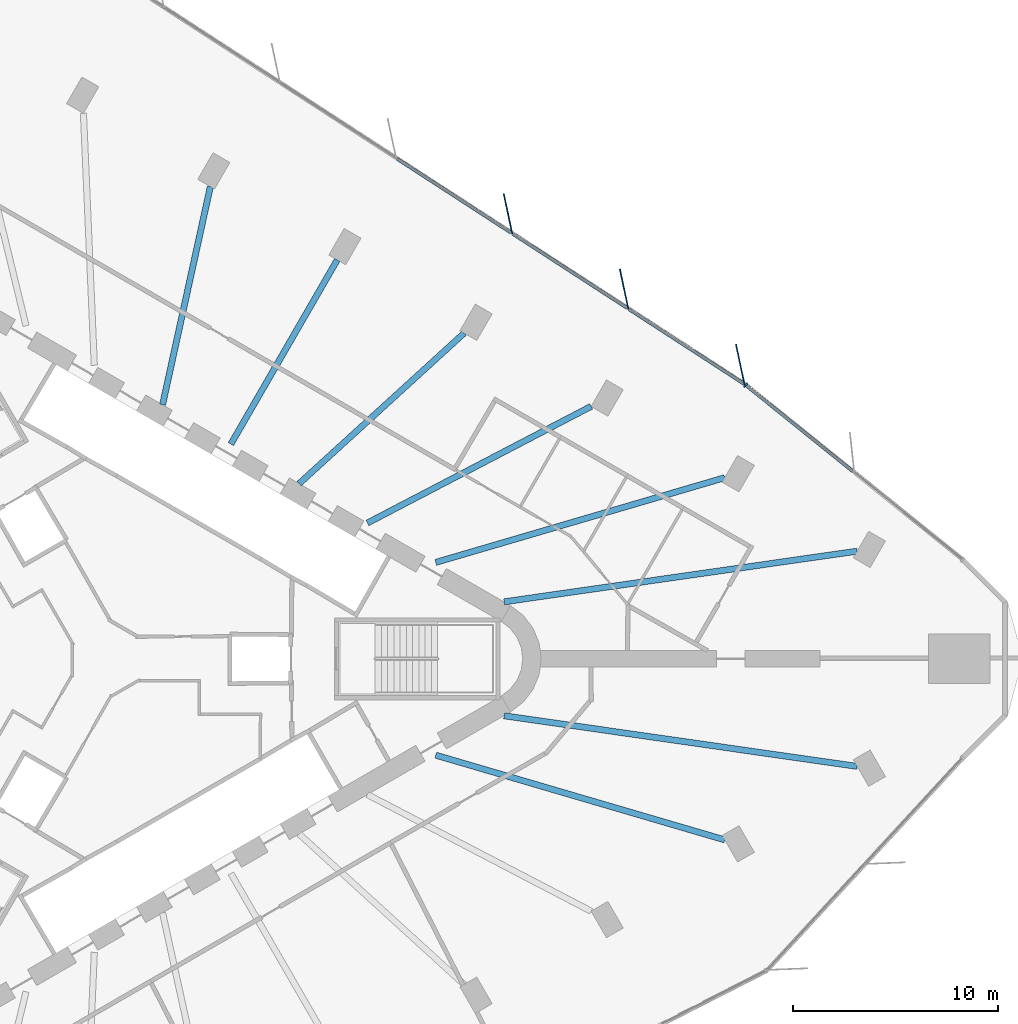
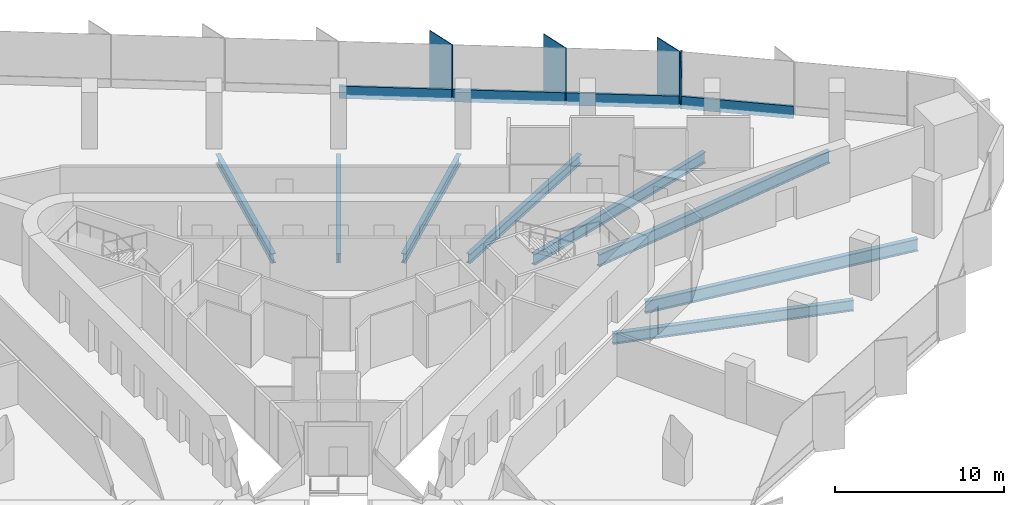
# One storey, part 5 of 14: 8 beams, 8 members, 2 elements without a shape of their own.
"""IFC4 building model written with IfcOpenShell, lengths in metres."""

from ifc_helpers import new_model, si_unit, direction, frame, origin, origin_2d, place, context, subcontext, project, spatial, rectangle, i_section, extrude, material, material_profile, profile_set, type_object, element, aggregate, save


model = new_model("IFC4")

# Units and contexts
model_context = context("Model", 3, precision=1e-05, world=origin(), true_north=direction((0.0, 1.0)))
body_context = subcontext(model_context, "Body", "Model", "MODEL_VIEW")
ifc_project = project(units=[si_unit("LENGTHUNIT", "METRE"), si_unit("AREAUNIT", "SQUARE_METRE"), si_unit("VOLUMEUNIT", "CUBIC_METRE"), si_unit("PLANEANGLEUNIT", "RADIAN"), si_unit("MASSUNIT", "GRAM", prefix="KILO")], contexts=[model_context])

# Site, building, storey
site_placement = place(None, origin())
site = spatial("IfcSite", under=ifc_project, at=site_placement, CompositionType="ELEMENT")
building_placement = place(site_placement, origin())
building = spatial("IfcBuilding", under=site, at=building_placement, Name="Tanit Gate Tower", CompositionType="ELEMENT")
storey_placement = place(building_placement, frame((0.0, 0.0, 74.199951171875)))
storey = spatial("IfcBuildingStorey", under=building, at=storey_placement, Name="L14", CompositionType="ELEMENT", Elevation=74.199951171875)

# Curtain wall, members
ifc_material_1 = material(Name="Aluminium bronze anodised and glass", Category="aluminium")
curtain_wall_type = type_object("IfcCurtainWallType", Name="Curtain wall typical low", PredefinedType="NOTDEFINED", material=ifc_material_1)
curtain_wall_1_placement = place(storey_placement, origin())
curtain_wall_1 = element("IfcCurtainWall", 1, at=curtain_wall_1_placement, inside=storey, type_object=curtain_wall_type, Name="Curtain wall L14 NE2", PredefinedType="NOTDEFINED")
ifc_material_2 = material(Name="Aluminium bronze anodised", Category="aluminium")
ifc_material_profile_1 = material_profile(ifc_material_2, rectangle(XDim=2.0, YDim=0.055908203125, at=origin_2d()), Name="56x2000 bronze fin mullion")
ifc_profile_set_1 = profile_set([ifc_material_profile_1], Name="Aluminium bronze anodised")
member_type_1 = type_object("IfcMemberType", Name="FIN MULLION 56x2000 bronze", PredefinedType="MULLION", material=ifc_profile_set_1)
member_1_placement = place(storey_placement, frame((30.916748046875, 14.369384765625, -0.300048828125), z_axis=(0.0, 0.0, 1.0), x_axis=(0.208373118697, -0.978049407445, 0.0)))
member_1 = element("IfcMember", 2, at=member_1_placement, type_object=member_type_1, Name="Fin mullion L14 NE2.1", PredefinedType="MULLION", context=body_context, shape_type="SweptSolid", body=[
    extrude(rectangle(XDim=2.0, YDim=0.055908203125, at=origin_2d()), origin(), (0.0, 0.0, 1.0), 4.10009765625),
])
member_2_placement = place(storey_placement, frame((25.248291015625, 18.046875, -0.300048828125), z_axis=(0.0, 0.0, 1.0), x_axis=(0.208373118697, -0.978049407445, 0.0)))
member_2 = element("IfcMember", 3, at=member_2_placement, type_object=member_type_1, Name="Fin mullion L14 NE2.2", PredefinedType="MULLION", context=body_context, shape_type="SweptSolid", body=[
    extrude(rectangle(XDim=2.0, YDim=0.055908203125, at=origin_2d()), origin(), (0.0, 0.0, 1.0), 4.10009765625),
])
member_3_placement = place(storey_placement, frame((19.579833984375, 21.72412109375, -0.300048828125), z_axis=(0.0, 0.0, 1.0), x_axis=(0.208373118697, -0.978049407445, 0.0)))
member_3 = element("IfcMember", 4, at=member_3_placement, type_object=member_type_1, Name="Fin mullion L14 NE2.3", PredefinedType="MULLION", context=body_context, shape_type="SweptSolid", body=[
    extrude(rectangle(XDim=2.0, YDim=0.055908203125, at=origin_2d()), origin(), (0.0, 0.0, 1.0), 4.10009765625),
])

# Curtain wall, member
curtain_wall_2_placement = place(storey_placement, origin())
curtain_wall_2 = element("IfcCurtainWall", 5, at=curtain_wall_2_placement, inside=storey, type_object=curtain_wall_type, Name="Curtain wall L14 NE1", PredefinedType="NOTDEFINED")
ifc_material_3 = material(Name="Aluminium bronze anodised", Category="aluminium")
ifc_material_profile_2 = material_profile(ifc_material_3, rectangle(XDim=0.239990234375, YDim=0.080078125, at=origin_2d()), Name="80x240 bronze mullion")
ifc_profile_set_2 = profile_set([ifc_material_profile_2], Name="Aluminium bronze anodised")
member_type_2 = type_object("IfcMemberType", Name="Mullion 80x240 typical low", PredefinedType="MULLION", material=ifc_profile_set_2)
member_4_placement = place(storey_placement, frame((31.18505859375, 13.36669921875, -0.300048828125), z_axis=(0.0, 0.0, 1.0), x_axis=(-0.627373717925, -0.77871831753, 0.0)))
member_4 = element("IfcMember", 6, at=member_4_placement, type_object=member_type_2, Name="Mullion L14 NE1.3", PredefinedType="MULLION", context=body_context, shape_type="SweptSolid", body=[
    extrude(rectangle(XDim=0.239990234375, YDim=0.080078125, at=origin_2d()), origin(), (0.0, 0.0, 1.0), 4.10009765625),
])

# Beams
ifc_material_4 = material(Name="Steel S355", Category="steel")
ifc_material_profile_3 = material_profile(ifc_material_4, i_section(OverallWidth=0.300048828125, OverallDepth=0.68994140625, WebThickness=0.014404296875, FlangeThickness=0.027099609375, FilletRadius=0.027099609375, at=origin_2d()), Name="HEA 700")
ifc_profile_set_3 = profile_set([ifc_material_profile_3], Name="Steel S355")
beam_type_1 = type_object("IfcBeamType", Name="RADIAL GIRDER HEA 700 S355", PredefinedType="BEAM", material=ifc_profile_set_3)
beam_1_placement = place(storey_placement, frame((23.635498046875, 12.322021484375, -0.64501953125), z_axis=(-0.886731546417, -0.462284722426, 0.0), x_axis=(0.462284722426, -0.886731546417, 0.0)))
element("IfcBeam", 7, at=beam_1_placement, inside=storey, type_object=beam_type_1, Name="RADIAL GIRDER", PredefinedType="BEAM", context=body_context, shape_type="SweptSolid", body=[
    extrude(i_section(OverallWidth=0.300048828125, OverallDepth=0.68994140625, WebThickness=0.014404296875, FlangeThickness=0.027099609375, FilletRadius=0.027099609375, at=origin_2d()), origin(), (0.0, 0.0, 1.0), 12.31103515625),
])
beam_2_placement = place(storey_placement, frame((17.4375, 15.896728515625, -0.64501953125), z_axis=(-0.73900866501, -0.673695920308, 0.0), x_axis=(0.673695920308, -0.73900866501, 0.0)))
element("IfcBeam", 8, at=beam_2_placement, inside=storey, type_object=beam_type_1, Name="RADIAL GIRDER", PredefinedType="BEAM", context=body_context, shape_type="SweptSolid", body=[
    extrude(i_section(OverallWidth=0.300048828125, OverallDepth=0.68994140625, WebThickness=0.014404296875, FlangeThickness=0.027099609375, FilletRadius=0.027099609375, at=origin_2d()), origin(), (0.0, 0.0, 1.0), 10.896240234375),
])
beam_3_placement = place(storey_placement, frame((11.242919921875, 19.47314453125, -0.64501953125), z_axis=(-0.50000806818, -0.866020745569, 0.0), x_axis=(0.866020745569, -0.50000806818, 0.0)))
element("IfcBeam", 9, at=beam_3_placement, inside=storey, type_object=beam_type_1, Name="RADIAL GIRDER", PredefinedType="BEAM", context=body_context, shape_type="SweptSolid", body=[
    extrude(i_section(OverallWidth=0.300048828125, OverallDepth=0.68994140625, WebThickness=0.014404296875, FlangeThickness=0.027099609375, FilletRadius=0.027099609375, at=origin_2d()), origin(), (0.0, 0.0, 1.0), 10.383544921875),
])
beam_4_placement = place(storey_placement, frame((5.04833984375, 23.049560546875, -0.64501953125), z_axis=(-0.213952125378, -0.976844147265, 0.0), x_axis=(0.976844147265, -0.213952125378, 0.0)))
element("IfcBeam", 10, at=beam_4_placement, inside=storey, type_object=beam_type_1, Name="RADIAL GIRDER", PredefinedType="BEAM", context=body_context, shape_type="SweptSolid", body=[
    extrude(i_section(OverallWidth=0.300048828125, OverallDepth=0.68994140625, WebThickness=0.014404296875, FlangeThickness=0.027099609375, FilletRadius=0.027099609375, at=origin_2d()), origin(), (0.0, 0.0, 1.0), 10.896240234375),
])
ifc_material_5 = material(Name="Steel S355", Category="steel")
ifc_material_profile_4 = material_profile(ifc_material_5, i_section(OverallWidth=0.300048828125, OverallDepth=0.7900390625, WebThickness=0.014892578125, FlangeThickness=0.028076171875, FilletRadius=0.030029296875, at=origin_2d()), Name="HEA 800")
ifc_profile_set_4 = profile_set([ifc_material_profile_4], Name="Steel S355")
beam_type_2 = type_object("IfcBeamType", Name="RADIAL GIRDER HEA 800 S355", PredefinedType="BEAM", material=ifc_profile_set_4)
for number, where, z_axis, x_axis, name in (
    (11, (30.1611328125, -8.841796875, -0.695068359375), (-0.95961764668, 0.28130761131, 0.0), (-0.28130761131, -0.95961764668, 0.0), "RADIAL GIRDER"),
    (12, (30.1611328125, 8.841796875, -0.695068359375), (-0.95961764668, -0.28130761131, 0.0), (0.28130761131, -0.95961764668, 0.0), "RADIAL GIRDER"),
):
    element("IfcBeam", number, at=place(storey_placement, frame(where, z_axis=z_axis, x_axis=x_axis)), inside=storey, type_object=beam_type_2, Name=name, PredefinedType="BEAM", context=body_context, shape_type="SweptSolid", body=[
        extrude(i_section(OverallWidth=0.300048828125, OverallDepth=0.7900390625, WebThickness=0.014892578125, FlangeThickness=0.028076171875, FilletRadius=0.030029296875, at=origin_2d()), origin(), (0.0, 0.0, 1.0), 14.701904296875),
    ])
ifc_material_6 = material(Name="Steel S355", Category="steel")
ifc_material_profile_5 = material_profile(ifc_material_6, i_section(OverallWidth=0.300048828125, OverallDepth=0.889892578125, WebThickness=0.01611328125, FlangeThickness=0.030029296875, FilletRadius=0.030029296875, at=origin_2d()), Name="HEA 900")
ifc_profile_set_5 = profile_set([ifc_material_profile_5], Name="Steel S355")
beam_type_3 = type_object("IfcBeamType", Name="RADIAL GIRDER HEA 900 S355", PredefinedType="BEAM", material=ifc_profile_set_5)
for number, where, z_axis, x_axis, name in (
    (13, (36.62451171875, -5.25390625, -0.744873046875), (-0.989867733674, 0.141992499209, 0.0), (-0.141992499209, -0.989867733674, 0.0), "RADIAL GIRDER"),
    (14, (36.62451171875, 5.25390625, -0.744873046875), (-0.989867733674, -0.141992499209, 0.0), (0.141992499209, -0.989867733674, 0.0), "RADIAL GIRDER"),
):
    element("IfcBeam", number, at=place(storey_placement, frame(where, z_axis=z_axis, x_axis=x_axis)), inside=storey, type_object=beam_type_3, Name=name, PredefinedType="BEAM", context=body_context, shape_type="SweptSolid", body=[
        extrude(i_section(OverallWidth=0.300048828125, OverallDepth=0.889892578125, WebThickness=0.01611328125, FlangeThickness=0.030029296875, FilletRadius=0.030029296875, at=origin_2d()), origin(), (0.0, 0.0, 1.0), 17.4140625),
    ])

# Member
ifc_material_7 = material(Name="Aluminium bronze anodised", Category="aluminium")
ifc_material_profile_6 = material_profile(ifc_material_7, rectangle(XDim=0.159912109375, YDim=0.89990234375, at=origin_2d()), Name="160x900 bronze transom")
ifc_profile_set_6 = profile_set([ifc_material_profile_6], Name="Aluminium bronze anodised")
member_type_3 = type_object("IfcMemberType", Name="Transom 160x900 typical low", PredefinedType="USERDEFINED", material=ifc_profile_set_6)
member_5_placement = place(storey_placement, frame((36.44970703125, 9.125, 0.150146484375), z_axis=(-0.778712992198, 0.627380327856, 0.0), x_axis=(-0.627380327856, -0.778712992198, 0.0)))
member_5 = element("IfcMember", 15, at=member_5_placement, type_object=member_type_3, Name="Transom L14 NE1.2", ObjectType="TRANSOM", PredefinedType="USERDEFINED", context=body_context, shape_type="SweptSolid", body=[
    extrude(rectangle(XDim=0.159912109375, YDim=0.89990234375, at=origin_2d()), origin(), (0.0, 0.0, 1.0), 6.720947265625),
])

aggregate(curtain_wall_2, [member_4, member_5])

member_6_placement = place(storey_placement, frame((31.086669921875, 13.435302734375, 0.150146484375), z_axis=(-0.838926994438, 0.544243969194, 0.0), x_axis=(-0.544243969194, -0.838926994438, 0.0)))
member_6 = element("IfcMember", 16, at=member_6_placement, type_object=member_type_3, Name="Transom L14 NE2.1", ObjectType="TRANSOM", PredefinedType="USERDEFINED", context=body_context, shape_type="SweptSolid", body=[
    extrude(rectangle(XDim=0.159912109375, YDim=0.89990234375, at=origin_2d()), origin(), (0.0, 0.0, 1.0), 6.6767578125),
])

member_7_placement = place(storey_placement, frame((25.41845703125, 17.112548828125, 0.150146484375), z_axis=(-0.838926994438, 0.544243969194, 0.0), x_axis=(-0.544243969194, -0.838926994438, 0.0)))
member_7 = element("IfcMember", 17, at=member_7_placement, type_object=member_type_3, Name="Transom L14 NE2.2", ObjectType="TRANSOM", PredefinedType="USERDEFINED", context=body_context, shape_type="SweptSolid", body=[
    extrude(rectangle(XDim=0.159912109375, YDim=0.89990234375, at=origin_2d()), origin(), (0.0, 0.0, 1.0), 6.6767578125),
])

member_8_placement = place(storey_placement, frame((19.75, 20.789794921875, 0.150146484375), z_axis=(-0.838926994438, 0.544243969194, 0.0), x_axis=(-0.544243969194, -0.838926994438, 0.0)))
member_8 = element("IfcMember", 18, at=member_8_placement, type_object=member_type_3, Name="Transom L14 NE2.3", ObjectType="TRANSOM", PredefinedType="USERDEFINED", context=body_context, shape_type="SweptSolid", body=[
    extrude(rectangle(XDim=0.159912109375, YDim=0.89990234375, at=origin_2d()), origin(), (0.0, 0.0, 1.0), 6.6767578125),
])

aggregate(curtain_wall_1, [member_1, member_2, member_3, member_6, member_7, member_8])

save(model, "model.ifc")
